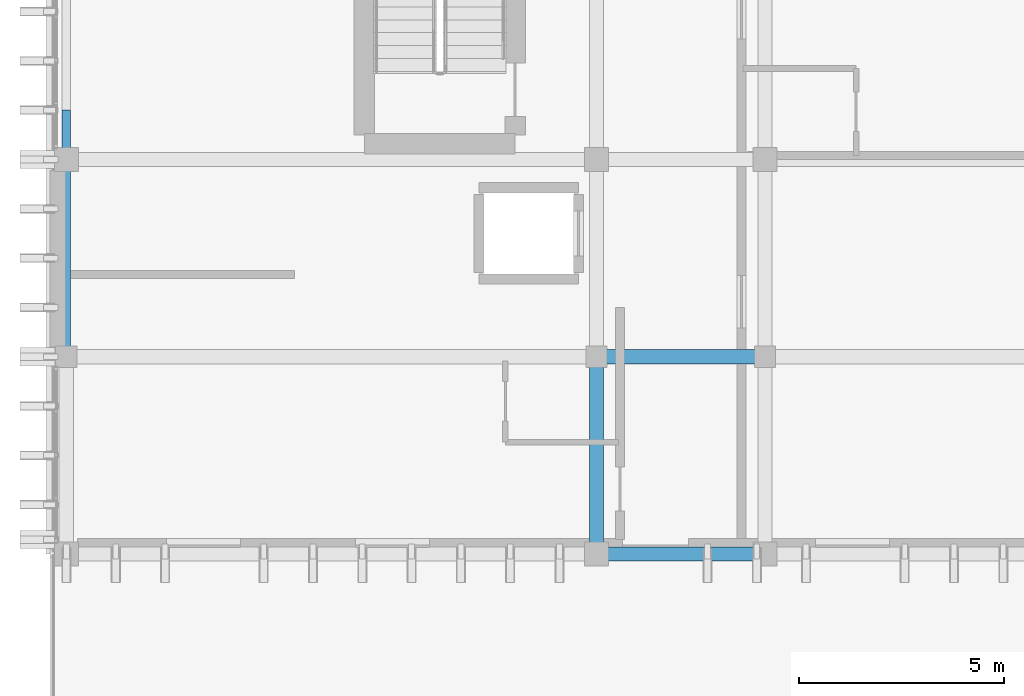
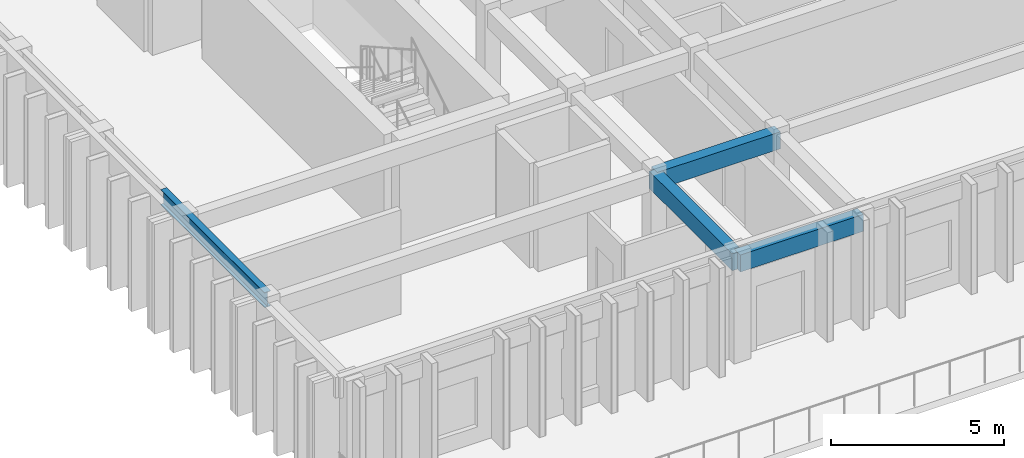
# One storey, part 3 of 49: 4 beams.
"""IFC4 building model written with IfcOpenShell, lengths in metres."""

from ifc_helpers import new_model, si_unit, direction, frame, origin, origin_2d, place, context, subcontext, project, spatial, rectangle, i_section, extrude, material, material_profile, profile_set, type_object, element, save


model = new_model("IFC4")

# Units and contexts
model_context = context("Model", 3, precision=1e-05, world=origin(), true_north=direction((0.0, 1.0)))
body_context = subcontext(model_context, "Body", "Model", "MODEL_VIEW")
ifc_project = project(units=[si_unit("LENGTHUNIT", "METRE"), si_unit("AREAUNIT", "SQUARE_METRE"), si_unit("VOLUMEUNIT", "CUBIC_METRE"), si_unit("PLANEANGLEUNIT", "RADIAN"), si_unit("MASSUNIT", "GRAM", prefix="KILO")], contexts=[model_context])

# Site, building, storey
site_placement = place(None, origin())
site = spatial("IfcSite", under=ifc_project, at=site_placement, CompositionType="ELEMENT")
building_placement = place(site_placement, origin())
building = spatial("IfcBuilding", under=site, at=building_placement, Name="Nakhvara Creek Congress Hotel", CompositionType="ELEMENT")
storey_placement = place(building_placement, frame((0.0, 0.0, 46.5)))
storey = spatial("IfcBuildingStorey", under=building, at=storey_placement, Name="L11", CompositionType="ELEMENT", Elevation=46.5)

# Beams
ifc_material_1 = material(Name="Concrete C40/50", Category="concrete")
ifc_material_profile_1 = material_profile(ifc_material_1, rectangle(XDim=0.35009765625, YDim=0.60009765625, at=origin_2d()), Name="RC-BM 350x600", Category="LoadBearing")
ifc_profile_set_1 = profile_set([ifc_material_profile_1], Name="Concrete C40/50")
beam_type_1 = type_object("IfcBeamType", Name="BM-RC-350X600", PredefinedType="BEAM", material=ifc_profile_set_1)
beam_1_placement = place(storey_placement, frame((162.35009765625, 67.199951171875, 3.3798828125), z_axis=(1.0, 0.0, 0.0), x_axis=(0.0, 1.0, 0.0)))
element("IfcBeam", 1, at=beam_1_placement, inside=storey, type_object=beam_type_1, Name="Beam B07-L11-2726", PredefinedType="BEAM", context=body_context, shape_type="SweptSolid", body=[
    extrude(rectangle(XDim=0.35009765625, YDim=0.60009765625, at=origin_2d()), origin(), (0.0, 0.0, 1.0), 4.099853515625),
])
beam_2_placement = place(storey_placement, frame((162.35009765625, 67.199951171875, 3.3798828125), z_axis=(0.0, 1.0, 0.0), x_axis=(-1.0, 0.0, 0.0)))
element("IfcBeam", 2, at=beam_2_placement, inside=storey, type_object=beam_type_1, Name="Beam B07-L11-2727", PredefinedType="BEAM", context=body_context, shape_type="SweptSolid", body=[
    extrude(rectangle(XDim=0.35009765625, YDim=0.60009765625, at=origin_2d()), origin(), (0.0, 0.0, 1.0), 4.800048828125),
])
beam_3_placement = place(storey_placement, frame((162.35009765625, 72.0, 3.3798828125), z_axis=(1.0, 0.0, 0.0), x_axis=(0.0, 1.0, 0.0)))
element("IfcBeam", 3, at=beam_3_placement, inside=storey, type_object=beam_type_1, Name="Beam B07-L11-2769", PredefinedType="BEAM", context=body_context, shape_type="SweptSolid", body=[
    extrude(rectangle(XDim=0.35009765625, YDim=0.60009765625, at=origin_2d()), origin(), (0.0, 0.0, 1.0), 4.099853515625),
])
ifc_material_2 = material(Name="Steel S355J2", Category="steel")
ifc_material_profile_2 = material_profile(ifc_material_2, i_section(OverallWidth=0.209228515625, OverallDepth=0.533203125, WebThickness=0.010009765625, FlangeThickness=0.015625, FilletRadius=0.0126953125, at=origin_2d()), Name="UB 533x210x92", Category="LoadBearing")
ifc_profile_set_2 = profile_set([ifc_material_profile_2], Name="Steel S355J2")
beam_type_2 = type_object("IfcBeamType", Name="BM-ST-UB533", PredefinedType="BEAM", material=ifc_profile_set_2)
beam_4_placement = place(storey_placement, frame((149.449951171875, 72.0, 3.6201171875), z_axis=(0.0, 1.0, 0.0), x_axis=(-1.0, 0.0, 0.0)))
element("IfcBeam", 4, at=beam_4_placement, inside=storey, type_object=beam_type_2, Name="Hotel Gable Eave Beam W-01", PredefinedType="BEAM", context=body_context, shape_type="SweptSolid", body=[
    extrude(i_section(OverallWidth=0.209228515625, OverallDepth=0.533203125, WebThickness=0.010009765625, FlangeThickness=0.015625, FilletRadius=0.0126953125, at=origin_2d()), origin(), (0.0, 0.0, 1.0), 6.0),
])

save(model, "model.ifc")
